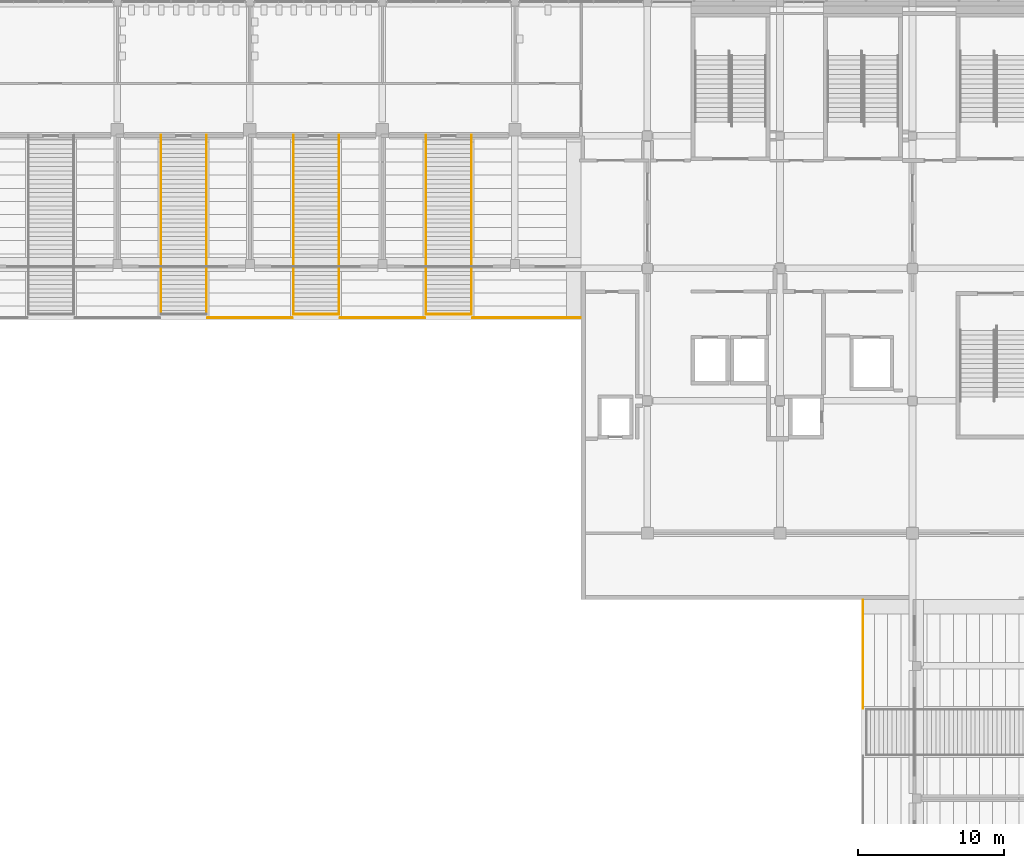
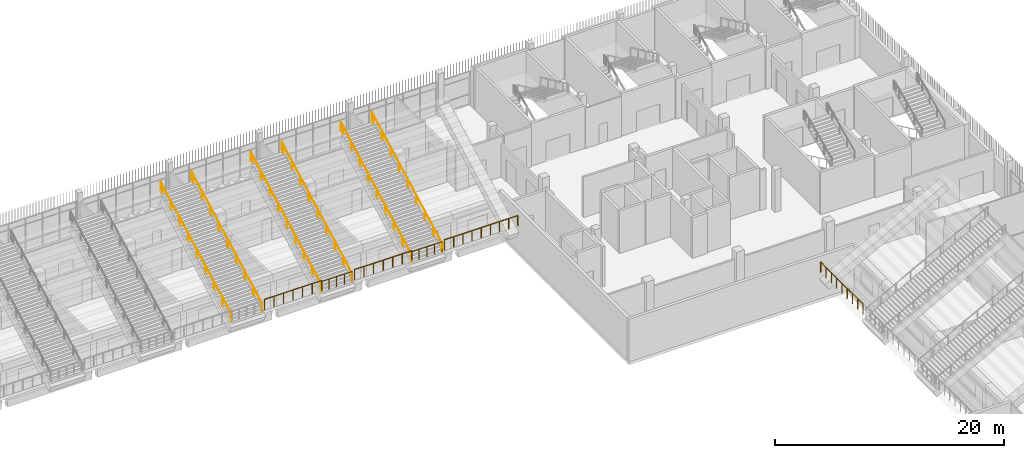
# One storey, part 127 of 139: 12 railings.
"""IFC4 building model written with IfcOpenShell, lengths in metres."""

import ifcopenshell
import ifcopenshell.guid

model = None  # the IFC model being written
_history = None  # IfcOwnerHistory: only IFC2X3 demands one
_inside = {}  # id of a spatial element -> (the spatial element, [elements in it])
_under = {}  # id of a project, library or spatial element -> (it, [spatial elements below it])
_declared = {}  # id of a project -> (the project, [libraries it declares])
_typed = {}  # id of a type object -> (the type object, [elements of that type])
_made_of = {}  # id of a material, layer set ... -> (it, [elements and type objects made of it])


def new_model(schema):
    """Start an empty IFC model of exactly this schema.

    Asked for "IFC4X3", IfcOpenShell would pick the latest addendum, in which some entities
    have other attributes; the version numbers below select the first issue.
    IFC2X3 requires an IfcOwnerHistory on every rooted entity: one is made here for all.
    """
    global model, _history
    if schema == "IFC4X3":
        model = ifcopenshell.file(schema_version=(4, 3, 0, 0))
    else:
        model = ifcopenshell.file(schema=schema)
    _inside.clear()
    _under.clear()
    _declared.clear()
    _typed.clear()
    _made_of.clear()
    _history = None
    if model.schema == "IFC2X3":
        org = make("IfcOrganization", Name="unknown")
        user = make(
            "IfcPersonAndOrganization",
            ThePerson=make("IfcPerson", FamilyName="unknown"),
            TheOrganization=org,
        )
        app = make(
            "IfcApplication",
            ApplicationDeveloper=org,
            Version="unknown",
            ApplicationFullName="unknown",
            ApplicationIdentifier="unknown",
        )
        _history = make(
            "IfcOwnerHistory",
            OwningUser=user,
            OwningApplication=app,
            ChangeAction="ADDED",
            CreationDate=0,
        )
    return model


def make(cls, **values):
    """One entity of the class cls with the attributes given. An attribute that is None is left unset."""
    return model.create_entity(
        cls, **{name: value for name, value in values.items() if value is not None}
    )


def rooted(cls, **values):
    """An entity with a GlobalId (a new one), such as an element, a storey or a relation."""
    return make(cls, GlobalId=ifcopenshell.guid.new(), OwnerHistory=_history, **values)


def si_unit(unit_type, name, prefix=None):
    """IfcSIUnit, for example si_unit("LENGTHUNIT", "METRE", prefix="MILLI")."""
    return make("IfcSIUnit", UnitType=unit_type, Prefix=prefix, Name=name)


def assignment(units):
    """IfcUnitAssignment: the units of a project."""
    return None if units is None else make("IfcUnitAssignment", Units=units)


def point(xyz):
    """IfcCartesianPoint."""
    return None if xyz is None else make("IfcCartesianPoint", Coordinates=xyz)


def direction(xyz):
    """IfcDirection."""
    return None if xyz is None else make("IfcDirection", DirectionRatios=xyz)


def frame(location, z_axis=None, x_axis=None):
    """IfcAxis2Placement3D, a coordinate frame: its origin and axes. An axis left out is left unset."""
    return make(
        "IfcAxis2Placement3D",
        Location=point(location),
        Axis=direction(z_axis),
        RefDirection=direction(x_axis),
    )


def frame_2d(location, x_axis=None):
    """IfcAxis2Placement2D, a coordinate frame in the plane: its origin and x axis."""
    return make(
        "IfcAxis2Placement2D", Location=point(location), RefDirection=direction(x_axis)
    )


def origin():
    """The frame at (0, 0, 0) with its axes left unset."""
    return frame((0.0, 0.0, 0.0))


def origin_2d():
    """The frame at (0, 0) in the plane with its x axis left unset."""
    return frame_2d((0.0, 0.0))


def place(relative_to, where):
    """IfcLocalPlacement: puts the frame where relative to a parent placement (None: the world)."""
    return make(
        "IfcLocalPlacement", PlacementRelTo=relative_to, RelativePlacement=where
    )


def context(
    kind, dimensions, precision=None, world=None, true_north=None, identifier=None
):
    """IfcGeometricRepresentationContext, for example the 3D "Model" context."""
    return make(
        "IfcGeometricRepresentationContext",
        ContextIdentifier=identifier,
        ContextType=kind,
        CoordinateSpaceDimension=dimensions,
        Precision=precision,
        WorldCoordinateSystem=world,
        TrueNorth=true_north,
    )


def subcontext(parent, identifier, kind, view, scale=None):
    """IfcGeometricRepresentationSubContext, for example "Body" below "Model"."""
    return make(
        "IfcGeometricRepresentationSubContext",
        ContextIdentifier=identifier,
        ContextType=kind,
        ParentContext=parent,
        TargetScale=scale,
        TargetView=view,
    )


def project(units=None, contexts=None):
    """IfcProject with its units and contexts."""
    return rooted(
        "IfcProject",
        Name="project",
        RepresentationContexts=contexts,
        UnitsInContext=assignment(units),
    )


def spatial(cls, under=None, at=None, **own):
    """A site, building, storey or space (cls), placed at a placement, below another one or the project."""
    s = rooted(cls, ObjectPlacement=at, **own)
    if under is not None:
        _under.setdefault(under.id(), (under, []))[1].append(s)
    return s


def profile(cls, at=None, kind="AREA", **sizes):
    """A parametric profile (cls). Its sizes go by their IFC names, for example OverallWidth=200.0."""
    return make(cls, ProfileType=kind, Position=at, **sizes)


def circle(**sizes):
    """IfcCircleProfileDef."""
    return profile("IfcCircleProfileDef", **sizes)


def extrude(swept, where, along, depth):
    """IfcExtrudedAreaSolid: the profile swept, set in the frame where, extruded along a direction by depth."""
    return make(
        "IfcExtrudedAreaSolid",
        SweptArea=swept,
        Position=where,
        ExtrudedDirection=direction(along),
        Depth=depth,
    )


def shape(context_of_items, identifier, shape_type, items):
    """IfcShapeRepresentation: the items that make up one representation, for example the "Body"."""
    return make(
        "IfcShapeRepresentation",
        ContextOfItems=context_of_items,
        RepresentationIdentifier=identifier,
        RepresentationType=shape_type,
        Items=items,
    )


def material(Name=None, Category=None):
    """IfcMaterial."""
    return make("IfcMaterial", Name=Name, Category=Category)


def made_of(thing, what):
    """Note that an element or type object is made of a material, layer set ...; save() writes the relation."""
    if what is not None:
        _made_of.setdefault(what.id(), (what, []))[1].append(thing)
    return thing


def type_object(cls, material=None, **own):
    """A type object (cls), such as IfcWallType, which elements share."""
    return made_of(rooted(cls, **own), material)


def element(
    cls,
    number,
    at=None,
    inside=None,
    cuts=None,
    type_object=None,
    material=None,
    context=None,
    identifier="Body",
    shape_type=None,
    held_by="IfcProductDefinitionShape",
    body=None,
    shapes=None,
    **own,
):
    """One element of the class cls, such as IfcWall. Its Tag is "e" and its number.

    at: its placement. inside: the storey or other place that contains it. cuts: it is an
    opening in that element (IfcRelVoidsElement). A single representation is given by context,
    identifier, shape_type and body (its items); several are given by shapes. held_by: the class
    of the entity that holds the representations. save() writes the other relations.
    """
    e = rooted(cls, Tag="e%d" % number, ObjectPlacement=at, **own)
    if body is not None:
        shapes = [shape(context, identifier, shape_type, body)]
    if shapes is not None:
        e.Representation = make(held_by, Representations=shapes)
    if inside is not None:
        _inside.setdefault(inside.id(), (inside, []))[1].append(e)
    if cuts is not None:
        rooted(
            "IfcRelVoidsElement", RelatingBuildingElement=cuts, RelatedOpeningElement=e
        )
    if type_object is not None:
        _typed.setdefault(type_object.id(), (type_object, []))[1].append(e)
    return made_of(e, material)


def aggregate(whole, parts):
    """IfcRelAggregates: a whole, such as a stair, and the parts it consists of."""
    return rooted("IfcRelAggregates", RelatingObject=whole, RelatedObjects=parts)


def save(model, path):
    """Write the relations noted so far, then the file.

    IfcRelAggregates (storeys below a building ...), IfcRelContainedInSpatialStructure (elements
    in a storey), IfcRelDefinesByType, IfcRelAssociatesMaterial and IfcRelDeclares: one each for
    every whole, place, type object, material and project.
    """
    for whole, parts in _under.values():
        aggregate(whole, parts)
    for where, things in _inside.values():
        rooted(
            "IfcRelContainedInSpatialStructure",
            RelatedElements=things,
            RelatingStructure=where,
        )
    for kind, things in _typed.values():
        rooted("IfcRelDefinesByType", RelatedObjects=things, RelatingType=kind)
    for what, things in _made_of.values():
        rooted("IfcRelAssociatesMaterial", RelatedObjects=things, RelatingMaterial=what)
    for by, libraries in _declared.values():
        rooted("IfcRelDeclares", RelatingContext=by, RelatedDefinitions=libraries)
    model.write(path)


model = new_model("IFC4")

# Units and contexts
model_context = context("Model", 3, precision=1e-05, world=origin(), true_north=direction((0.0, 1.0)))
body_context = subcontext(model_context, "Body", "Model", "MODEL_VIEW")
ifc_project = project(units=[si_unit("LENGTHUNIT", "METRE"), si_unit("AREAUNIT", "SQUARE_METRE"), si_unit("VOLUMEUNIT", "CUBIC_METRE"), si_unit("PLANEANGLEUNIT", "RADIAN"), si_unit("MASSUNIT", "GRAM", prefix="KILO")], contexts=[model_context])

# Site, building, storey
site_placement = place(None, origin())
site = spatial("IfcSite", under=ifc_project, at=site_placement, CompositionType="ELEMENT")
building_placement = place(site_placement, origin())
building = spatial("IfcBuilding", under=site, at=building_placement, Name="Shirokan Park Arena", CompositionType="ELEMENT")
storey_placement = place(building_placement, frame((0.0, 0.0, 15.469970703125)))
storey = spatial("IfcBuildingStorey", under=building, at=storey_placement, Name="L03", CompositionType="ELEMENT", Elevation=15.469970703125)

# Railings
ifc_material = material(Name="Stainless steel", Category="steel")
railing_type_1 = type_object("IfcRailingType", Name="Aisle foot guard 1100", PredefinedType="GUARDRAIL", material=ifc_material)
for number, where, name in (
    (1, (84.89990234375, 87.85009765625, 2.5400390625), "Guard foot of vomitory stair N5 upper"),
    (2, (94.0, 87.85009765625, 2.5400390625), "Guard foot of vomitory stair N6 upper"),
):
    element("IfcRailing", number, at=place(storey_placement, frame(where)), inside=storey, type_object=railing_type_1, Name=name, PredefinedType="GUARDRAIL", context=body_context, shape_type="SweptSolid", body=[
        extrude(circle(Radius=0.02490234375, at=origin_2d()), frame((0.0, 0.0, 1.0771484375), z_axis=(1.0, 0.0, 0.0), x_axis=(0.0, 1.0, 0.0)), (0.0, 0.0, 1.0), 3.10009765625),
        extrude(circle(Radius=0.02490234375, at=origin_2d()), origin(), (0.0, 0.0, 1.0), 1.052001953125),
        extrude(circle(Radius=0.02490234375, at=origin_2d()), frame((0.77490234375, 0.0, 0.0)), (0.0, 0.0, 1.0), 1.052001953125),
        extrude(circle(Radius=0.02490234375, at=origin_2d()), frame((1.550048828125, 0.0, 0.0)), (0.0, 0.0, 1.0), 1.052001953125),
        extrude(circle(Radius=0.02490234375, at=origin_2d()), frame((2.3251953125, 0.0, 0.0)), (0.0, 0.0, 1.0), 1.052001953125),
        extrude(circle(Radius=0.02490234375, at=origin_2d()), frame((3.10009765625, 0.0, 0.0)), (0.0, 0.0, 1.0), 1.052001953125),
    ])
railing_type_2 = type_object("IfcRailingType", Name="Aisle handrail 900", PredefinedType="HANDRAIL", material=ifc_material)
railing_1_placement = place(storey_placement, frame((75.7900390625, 87.85009765625, 2.5400390625)))
element("IfcRailing", 3, at=railing_1_placement, inside=storey, type_object=railing_type_2, Name="Handrail vomitory stair N4 upper", PredefinedType="HANDRAIL", context=body_context, shape_type="SweptSolid", body=[
    extrude(circle(Radius=0.02490234375, at=origin_2d()), frame((0.0, 0.0, 0.90185546875), z_axis=(0.0, 0.882341014787, 0.470610596591), x_axis=(-1.0, 0.0, 0.0)), (0.0, 0.0, 1.0), 1.699951171875),
    extrude(circle(Radius=0.02490234375, at=origin_2d()), frame((0.0, 1.5, 1.70166015625), z_axis=(0.0, 0.882341014787, 0.470610596591), x_axis=(-1.0, 0.0, 0.0)), (0.0, 0.0, 1.0), 1.699951171875),
    extrude(circle(Radius=0.02490234375, at=origin_2d()), frame((0.0, 3.0, 2.501953125), z_axis=(0.0, 0.88240064429, 0.470498781037), x_axis=(-1.0, 0.0, 0.0)), (0.0, 0.0, 1.0), 1.699951171875),
    extrude(circle(Radius=0.02490234375, at=origin_2d()), frame((0.0, 4.5, 3.3017578125), z_axis=(0.0, 0.882341014787, 0.470610596591), x_axis=(-1.0, 0.0, 0.0)), (0.0, 0.0, 1.0), 1.699951171875),
    extrude(circle(Radius=0.02490234375, at=origin_2d()), frame((0.0, 6.0, 4.1015625), z_axis=(0.0, 0.882341014787, 0.470610596591), x_axis=(-1.0, 0.0, 0.0)), (0.0, 0.0, 1.0), 1.699951171875),
    extrude(circle(Radius=0.02490234375, at=origin_2d()), frame((0.0, 7.5, 4.90185546875), z_axis=(0.0, 0.882341014787, 0.470610596591), x_axis=(-1.0, 0.0, 0.0)), (0.0, 0.0, 1.0), 1.699951171875),
    extrude(circle(Radius=0.02490234375, at=origin_2d()), frame((0.0, 9.0, 5.70166015625), z_axis=(0.0, 0.882341014787, 0.470610596591), x_axis=(-1.0, 0.0, 0.0)), (0.0, 0.0, 1.0), 1.699951171875),
    extrude(circle(Radius=0.02490234375, at=origin_2d()), frame((0.0, 10.5, 6.501953125), z_axis=(0.0, 0.88240064429, 0.470498781037), x_axis=(-1.0, 0.0, 0.0)), (0.0, 0.0, 1.0), 1.699951171875),
    extrude(circle(Radius=0.02490234375, at=origin_2d()), frame((0.0, 12.0, 7.3017578125), z_axis=(0.0, 0.882034613395, 0.471184614322), x_axis=(-1.0, 0.0, 0.0)), (0.0, 0.0, 1.0), 0.33984375),
    extrude(circle(Radius=0.02490234375, at=origin_2d()), origin(), (0.0, 0.0, 1.0), 0.876708984375),
    extrude(circle(Radius=0.02490234375, at=origin_2d()), frame((0.0, 1.5, 0.800048828125)), (0.0, 0.0, 1.0), 0.876708984375),
    extrude(circle(Radius=0.02490234375, at=origin_2d()), frame((0.0, 3.0, 1.60009765625)), (0.0, 0.0, 1.0), 0.876708984375),
    extrude(circle(Radius=0.02490234375, at=origin_2d()), frame((0.0, 4.5, 2.39990234375)), (0.0, 0.0, 1.0), 0.876708984375),
    extrude(circle(Radius=0.02490234375, at=origin_2d()), frame((0.0, 6.0, 3.199951171875)), (0.0, 0.0, 1.0), 0.876708984375),
    extrude(circle(Radius=0.02490234375, at=origin_2d()), frame((0.0, 7.5, 4.0)), (0.0, 0.0, 1.0), 0.876708984375),
    extrude(circle(Radius=0.02490234375, at=origin_2d()), frame((0.0, 9.0, 4.800048828125)), (0.0, 0.0, 1.0), 0.876708984375),
    extrude(circle(Radius=0.02490234375, at=origin_2d()), frame((0.0, 10.5, 5.60009765625)), (0.0, 0.0, 1.0), 0.876708984375),
    extrude(circle(Radius=0.02490234375, at=origin_2d()), frame((0.0, 12.0, 6.39990234375)), (0.0, 0.0, 1.0), 0.876708984375),
    extrude(circle(Radius=0.02490234375, at=origin_2d()), frame((0.0, 12.2998046875, 6.56005859375)), (0.0, 0.0, 1.0), 0.876708984375),
])
railing_2_placement = place(storey_placement, frame((78.909912109375, 87.85009765625, 2.5400390625)))
element("IfcRailing", 4, at=railing_2_placement, inside=storey, type_object=railing_type_2, Name="Handrail vomitory stair N4 upper", PredefinedType="HANDRAIL", context=body_context, shape_type="SweptSolid", body=[
    extrude(circle(Radius=0.02490234375, at=origin_2d()), frame((0.0, 0.0, 0.90185546875), z_axis=(0.0, 0.882341014787, 0.470610596591), x_axis=(-1.0, 0.0, 0.0)), (0.0, 0.0, 1.0), 1.699951171875),
    extrude(circle(Radius=0.02490234375, at=origin_2d()), frame((0.0, 1.5, 1.70166015625), z_axis=(0.0, 0.882341014787, 0.470610596591), x_axis=(-1.0, 0.0, 0.0)), (0.0, 0.0, 1.0), 1.699951171875),
    extrude(circle(Radius=0.02490234375, at=origin_2d()), frame((0.0, 3.0, 2.501953125), z_axis=(0.0, 0.88240064429, 0.470498781037), x_axis=(-1.0, 0.0, 0.0)), (0.0, 0.0, 1.0), 1.699951171875),
    extrude(circle(Radius=0.02490234375, at=origin_2d()), frame((0.0, 4.5, 3.3017578125), z_axis=(0.0, 0.882341014787, 0.470610596591), x_axis=(-1.0, 0.0, 0.0)), (0.0, 0.0, 1.0), 1.699951171875),
    extrude(circle(Radius=0.02490234375, at=origin_2d()), frame((0.0, 6.0, 4.1015625), z_axis=(0.0, 0.882341014787, 0.470610596591), x_axis=(-1.0, 0.0, 0.0)), (0.0, 0.0, 1.0), 1.699951171875),
    extrude(circle(Radius=0.02490234375, at=origin_2d()), frame((0.0, 7.5, 4.90185546875), z_axis=(0.0, 0.882341014787, 0.470610596591), x_axis=(-1.0, 0.0, 0.0)), (0.0, 0.0, 1.0), 1.699951171875),
    extrude(circle(Radius=0.02490234375, at=origin_2d()), frame((0.0, 9.0, 5.70166015625), z_axis=(0.0, 0.882341014787, 0.470610596591), x_axis=(-1.0, 0.0, 0.0)), (0.0, 0.0, 1.0), 1.699951171875),
    extrude(circle(Radius=0.02490234375, at=origin_2d()), frame((0.0, 10.5, 6.501953125), z_axis=(0.0, 0.88240064429, 0.470498781037), x_axis=(-1.0, 0.0, 0.0)), (0.0, 0.0, 1.0), 1.699951171875),
    extrude(circle(Radius=0.02490234375, at=origin_2d()), frame((0.0, 12.0, 7.3017578125), z_axis=(0.0, 0.882034613395, 0.471184614322), x_axis=(-1.0, 0.0, 0.0)), (0.0, 0.0, 1.0), 0.33984375),
    extrude(circle(Radius=0.02490234375, at=origin_2d()), origin(), (0.0, 0.0, 1.0), 0.876708984375),
    extrude(circle(Radius=0.02490234375, at=origin_2d()), frame((0.0, 1.5, 0.800048828125)), (0.0, 0.0, 1.0), 0.876708984375),
    extrude(circle(Radius=0.02490234375, at=origin_2d()), frame((0.0, 3.0, 1.60009765625)), (0.0, 0.0, 1.0), 0.876708984375),
    extrude(circle(Radius=0.02490234375, at=origin_2d()), frame((0.0, 4.5, 2.39990234375)), (0.0, 0.0, 1.0), 0.876708984375),
    extrude(circle(Radius=0.02490234375, at=origin_2d()), frame((0.0, 6.0, 3.199951171875)), (0.0, 0.0, 1.0), 0.876708984375),
    extrude(circle(Radius=0.02490234375, at=origin_2d()), frame((0.0, 7.5, 4.0)), (0.0, 0.0, 1.0), 0.876708984375),
    extrude(circle(Radius=0.02490234375, at=origin_2d()), frame((0.0, 9.0, 4.800048828125)), (0.0, 0.0, 1.0), 0.876708984375),
    extrude(circle(Radius=0.02490234375, at=origin_2d()), frame((0.0, 10.5, 5.60009765625)), (0.0, 0.0, 1.0), 0.876708984375),
    extrude(circle(Radius=0.02490234375, at=origin_2d()), frame((0.0, 12.0, 6.39990234375)), (0.0, 0.0, 1.0), 0.876708984375),
    extrude(circle(Radius=0.02490234375, at=origin_2d()), frame((0.0, 12.2998046875, 6.56005859375)), (0.0, 0.0, 1.0), 0.876708984375),
])
railing_3_placement = place(storey_placement, frame((84.889892578125, 87.85009765625, 2.5400390625)))
element("IfcRailing", 5, at=railing_3_placement, inside=storey, type_object=railing_type_2, Name="Handrail vomitory stair N5 upper", PredefinedType="HANDRAIL", context=body_context, shape_type="SweptSolid", body=[
    extrude(circle(Radius=0.02490234375, at=origin_2d()), frame((0.0, 0.0, 0.90185546875), z_axis=(0.0, 0.882341014787, 0.470610596591), x_axis=(-1.0, 0.0, 0.0)), (0.0, 0.0, 1.0), 1.699951171875),
    extrude(circle(Radius=0.02490234375, at=origin_2d()), frame((0.0, 1.5, 1.70166015625), z_axis=(0.0, 0.882341014787, 0.470610596591), x_axis=(-1.0, 0.0, 0.0)), (0.0, 0.0, 1.0), 1.699951171875),
    extrude(circle(Radius=0.02490234375, at=origin_2d()), frame((0.0, 3.0, 2.501953125), z_axis=(0.0, 0.88240064429, 0.470498781037), x_axis=(-1.0, 0.0, 0.0)), (0.0, 0.0, 1.0), 1.699951171875),
    extrude(circle(Radius=0.02490234375, at=origin_2d()), frame((0.0, 4.5, 3.3017578125), z_axis=(0.0, 0.882341014787, 0.470610596591), x_axis=(-1.0, 0.0, 0.0)), (0.0, 0.0, 1.0), 1.699951171875),
    extrude(circle(Radius=0.02490234375, at=origin_2d()), frame((0.0, 6.0, 4.1015625), z_axis=(0.0, 0.882341014787, 0.470610596591), x_axis=(-1.0, 0.0, 0.0)), (0.0, 0.0, 1.0), 1.699951171875),
    extrude(circle(Radius=0.02490234375, at=origin_2d()), frame((0.0, 7.5, 4.90185546875), z_axis=(0.0, 0.882341014787, 0.470610596591), x_axis=(-1.0, 0.0, 0.0)), (0.0, 0.0, 1.0), 1.699951171875),
    extrude(circle(Radius=0.02490234375, at=origin_2d()), frame((0.0, 9.0, 5.70166015625), z_axis=(0.0, 0.882341014787, 0.470610596591), x_axis=(-1.0, 0.0, 0.0)), (0.0, 0.0, 1.0), 1.699951171875),
    extrude(circle(Radius=0.02490234375, at=origin_2d()), frame((0.0, 10.5, 6.501953125), z_axis=(0.0, 0.88240064429, 0.470498781037), x_axis=(-1.0, 0.0, 0.0)), (0.0, 0.0, 1.0), 1.699951171875),
    extrude(circle(Radius=0.02490234375, at=origin_2d()), frame((0.0, 12.0, 7.3017578125), z_axis=(0.0, 0.882034613395, 0.471184614322), x_axis=(-1.0, 0.0, 0.0)), (0.0, 0.0, 1.0), 0.33984375),
    extrude(circle(Radius=0.02490234375, at=origin_2d()), origin(), (0.0, 0.0, 1.0), 0.876708984375),
    extrude(circle(Radius=0.02490234375, at=origin_2d()), frame((0.0, 1.5, 0.800048828125)), (0.0, 0.0, 1.0), 0.876708984375),
    extrude(circle(Radius=0.02490234375, at=origin_2d()), frame((0.0, 3.0, 1.60009765625)), (0.0, 0.0, 1.0), 0.876708984375),
    extrude(circle(Radius=0.02490234375, at=origin_2d()), frame((0.0, 4.5, 2.39990234375)), (0.0, 0.0, 1.0), 0.876708984375),
    extrude(circle(Radius=0.02490234375, at=origin_2d()), frame((0.0, 6.0, 3.199951171875)), (0.0, 0.0, 1.0), 0.876708984375),
    extrude(circle(Radius=0.02490234375, at=origin_2d()), frame((0.0, 7.5, 4.0)), (0.0, 0.0, 1.0), 0.876708984375),
    extrude(circle(Radius=0.02490234375, at=origin_2d()), frame((0.0, 9.0, 4.800048828125)), (0.0, 0.0, 1.0), 0.876708984375),
    extrude(circle(Radius=0.02490234375, at=origin_2d()), frame((0.0, 10.5, 5.60009765625)), (0.0, 0.0, 1.0), 0.876708984375),
    extrude(circle(Radius=0.02490234375, at=origin_2d()), frame((0.0, 12.0, 6.39990234375)), (0.0, 0.0, 1.0), 0.876708984375),
    extrude(circle(Radius=0.02490234375, at=origin_2d()), frame((0.0, 12.2998046875, 6.56005859375)), (0.0, 0.0, 1.0), 0.876708984375),
])
railing_4_placement = place(storey_placement, frame((88.010009765625, 87.85009765625, 2.5400390625)))
element("IfcRailing", 6, at=railing_4_placement, inside=storey, type_object=railing_type_2, Name="Handrail vomitory stair N5 upper", PredefinedType="HANDRAIL", context=body_context, shape_type="SweptSolid", body=[
    extrude(circle(Radius=0.02490234375, at=origin_2d()), frame((0.0, 0.0, 0.90185546875), z_axis=(0.0, 0.882341014787, 0.470610596591), x_axis=(-1.0, 0.0, 0.0)), (0.0, 0.0, 1.0), 1.699951171875),
    extrude(circle(Radius=0.02490234375, at=origin_2d()), frame((0.0, 1.5, 1.70166015625), z_axis=(0.0, 0.882341014787, 0.470610596591), x_axis=(-1.0, 0.0, 0.0)), (0.0, 0.0, 1.0), 1.699951171875),
    extrude(circle(Radius=0.02490234375, at=origin_2d()), frame((0.0, 3.0, 2.501953125), z_axis=(0.0, 0.88240064429, 0.470498781037), x_axis=(-1.0, 0.0, 0.0)), (0.0, 0.0, 1.0), 1.699951171875),
    extrude(circle(Radius=0.02490234375, at=origin_2d()), frame((0.0, 4.5, 3.3017578125), z_axis=(0.0, 0.882341014787, 0.470610596591), x_axis=(-1.0, 0.0, 0.0)), (0.0, 0.0, 1.0), 1.699951171875),
    extrude(circle(Radius=0.02490234375, at=origin_2d()), frame((0.0, 6.0, 4.1015625), z_axis=(0.0, 0.882341014787, 0.470610596591), x_axis=(-1.0, 0.0, 0.0)), (0.0, 0.0, 1.0), 1.699951171875),
    extrude(circle(Radius=0.02490234375, at=origin_2d()), frame((0.0, 7.5, 4.90185546875), z_axis=(0.0, 0.882341014787, 0.470610596591), x_axis=(-1.0, 0.0, 0.0)), (0.0, 0.0, 1.0), 1.699951171875),
    extrude(circle(Radius=0.02490234375, at=origin_2d()), frame((0.0, 9.0, 5.70166015625), z_axis=(0.0, 0.882341014787, 0.470610596591), x_axis=(-1.0, 0.0, 0.0)), (0.0, 0.0, 1.0), 1.699951171875),
    extrude(circle(Radius=0.02490234375, at=origin_2d()), frame((0.0, 10.5, 6.501953125), z_axis=(0.0, 0.88240064429, 0.470498781037), x_axis=(-1.0, 0.0, 0.0)), (0.0, 0.0, 1.0), 1.699951171875),
    extrude(circle(Radius=0.02490234375, at=origin_2d()), frame((0.0, 12.0, 7.3017578125), z_axis=(0.0, 0.882034613395, 0.471184614322), x_axis=(-1.0, 0.0, 0.0)), (0.0, 0.0, 1.0), 0.33984375),
    extrude(circle(Radius=0.02490234375, at=origin_2d()), origin(), (0.0, 0.0, 1.0), 0.876708984375),
    extrude(circle(Radius=0.02490234375, at=origin_2d()), frame((0.0, 1.5, 0.800048828125)), (0.0, 0.0, 1.0), 0.876708984375),
    extrude(circle(Radius=0.02490234375, at=origin_2d()), frame((0.0, 3.0, 1.60009765625)), (0.0, 0.0, 1.0), 0.876708984375),
    extrude(circle(Radius=0.02490234375, at=origin_2d()), frame((0.0, 4.5, 2.39990234375)), (0.0, 0.0, 1.0), 0.876708984375),
    extrude(circle(Radius=0.02490234375, at=origin_2d()), frame((0.0, 6.0, 3.199951171875)), (0.0, 0.0, 1.0), 0.876708984375),
    extrude(circle(Radius=0.02490234375, at=origin_2d()), frame((0.0, 7.5, 4.0)), (0.0, 0.0, 1.0), 0.876708984375),
    extrude(circle(Radius=0.02490234375, at=origin_2d()), frame((0.0, 9.0, 4.800048828125)), (0.0, 0.0, 1.0), 0.876708984375),
    extrude(circle(Radius=0.02490234375, at=origin_2d()), frame((0.0, 10.5, 5.60009765625)), (0.0, 0.0, 1.0), 0.876708984375),
    extrude(circle(Radius=0.02490234375, at=origin_2d()), frame((0.0, 12.0, 6.39990234375)), (0.0, 0.0, 1.0), 0.876708984375),
    extrude(circle(Radius=0.02490234375, at=origin_2d()), frame((0.0, 12.2998046875, 6.56005859375)), (0.0, 0.0, 1.0), 0.876708984375),
])
railing_5_placement = place(storey_placement, frame((93.989990234375, 87.85009765625, 2.5400390625)))
element("IfcRailing", 7, at=railing_5_placement, inside=storey, type_object=railing_type_2, Name="Handrail vomitory stair N6 upper", PredefinedType="HANDRAIL", context=body_context, shape_type="SweptSolid", body=[
    extrude(circle(Radius=0.02490234375, at=origin_2d()), frame((0.0, 0.0, 0.90185546875), z_axis=(0.0, 0.882341014787, 0.470610596591), x_axis=(-1.0, 0.0, 0.0)), (0.0, 0.0, 1.0), 1.699951171875),
    extrude(circle(Radius=0.02490234375, at=origin_2d()), frame((0.0, 1.5, 1.70166015625), z_axis=(0.0, 0.882341014787, 0.470610596591), x_axis=(-1.0, 0.0, 0.0)), (0.0, 0.0, 1.0), 1.699951171875),
    extrude(circle(Radius=0.02490234375, at=origin_2d()), frame((0.0, 3.0, 2.501953125), z_axis=(0.0, 0.88240064429, 0.470498781037), x_axis=(-1.0, 0.0, 0.0)), (0.0, 0.0, 1.0), 1.699951171875),
    extrude(circle(Radius=0.02490234375, at=origin_2d()), frame((0.0, 4.5, 3.3017578125), z_axis=(0.0, 0.882341014787, 0.470610596591), x_axis=(-1.0, 0.0, 0.0)), (0.0, 0.0, 1.0), 1.699951171875),
    extrude(circle(Radius=0.02490234375, at=origin_2d()), frame((0.0, 6.0, 4.1015625), z_axis=(0.0, 0.882341014787, 0.470610596591), x_axis=(-1.0, 0.0, 0.0)), (0.0, 0.0, 1.0), 1.699951171875),
    extrude(circle(Radius=0.02490234375, at=origin_2d()), frame((0.0, 7.5, 4.90185546875), z_axis=(0.0, 0.882341014787, 0.470610596591), x_axis=(-1.0, 0.0, 0.0)), (0.0, 0.0, 1.0), 1.699951171875),
    extrude(circle(Radius=0.02490234375, at=origin_2d()), frame((0.0, 9.0, 5.70166015625), z_axis=(0.0, 0.882341014787, 0.470610596591), x_axis=(-1.0, 0.0, 0.0)), (0.0, 0.0, 1.0), 1.699951171875),
    extrude(circle(Radius=0.02490234375, at=origin_2d()), frame((0.0, 10.5, 6.501953125), z_axis=(0.0, 0.88240064429, 0.470498781037), x_axis=(-1.0, 0.0, 0.0)), (0.0, 0.0, 1.0), 1.699951171875),
    extrude(circle(Radius=0.02490234375, at=origin_2d()), frame((0.0, 12.0, 7.3017578125), z_axis=(0.0, 0.882034613395, 0.471184614322), x_axis=(-1.0, 0.0, 0.0)), (0.0, 0.0, 1.0), 0.33984375),
    extrude(circle(Radius=0.02490234375, at=origin_2d()), origin(), (0.0, 0.0, 1.0), 0.876708984375),
    extrude(circle(Radius=0.02490234375, at=origin_2d()), frame((0.0, 1.5, 0.800048828125)), (0.0, 0.0, 1.0), 0.876708984375),
    extrude(circle(Radius=0.02490234375, at=origin_2d()), frame((0.0, 3.0, 1.60009765625)), (0.0, 0.0, 1.0), 0.876708984375),
    extrude(circle(Radius=0.02490234375, at=origin_2d()), frame((0.0, 4.5, 2.39990234375)), (0.0, 0.0, 1.0), 0.876708984375),
    extrude(circle(Radius=0.02490234375, at=origin_2d()), frame((0.0, 6.0, 3.199951171875)), (0.0, 0.0, 1.0), 0.876708984375),
    extrude(circle(Radius=0.02490234375, at=origin_2d()), frame((0.0, 7.5, 4.0)), (0.0, 0.0, 1.0), 0.876708984375),
    extrude(circle(Radius=0.02490234375, at=origin_2d()), frame((0.0, 9.0, 4.800048828125)), (0.0, 0.0, 1.0), 0.876708984375),
    extrude(circle(Radius=0.02490234375, at=origin_2d()), frame((0.0, 10.5, 5.60009765625)), (0.0, 0.0, 1.0), 0.876708984375),
    extrude(circle(Radius=0.02490234375, at=origin_2d()), frame((0.0, 12.0, 6.39990234375)), (0.0, 0.0, 1.0), 0.876708984375),
    extrude(circle(Radius=0.02490234375, at=origin_2d()), frame((0.0, 12.2998046875, 6.56005859375)), (0.0, 0.0, 1.0), 0.876708984375),
])
railing_6_placement = place(storey_placement, frame((97.110107421875, 87.85009765625, 2.5400390625)))
element("IfcRailing", 8, at=railing_6_placement, inside=storey, type_object=railing_type_2, Name="Handrail vomitory stair N6 upper", PredefinedType="HANDRAIL", context=body_context, shape_type="SweptSolid", body=[
    extrude(circle(Radius=0.02490234375, at=origin_2d()), frame((0.0, 0.0, 0.90185546875), z_axis=(0.0, 0.882341014787, 0.470610596591), x_axis=(-1.0, 0.0, 0.0)), (0.0, 0.0, 1.0), 1.699951171875),
    extrude(circle(Radius=0.02490234375, at=origin_2d()), frame((0.0, 1.5, 1.70166015625), z_axis=(0.0, 0.882341014787, 0.470610596591), x_axis=(-1.0, 0.0, 0.0)), (0.0, 0.0, 1.0), 1.699951171875),
    extrude(circle(Radius=0.02490234375, at=origin_2d()), frame((0.0, 3.0, 2.501953125), z_axis=(0.0, 0.88240064429, 0.470498781037), x_axis=(-1.0, 0.0, 0.0)), (0.0, 0.0, 1.0), 1.699951171875),
    extrude(circle(Radius=0.02490234375, at=origin_2d()), frame((0.0, 4.5, 3.3017578125), z_axis=(0.0, 0.882341014787, 0.470610596591), x_axis=(-1.0, 0.0, 0.0)), (0.0, 0.0, 1.0), 1.699951171875),
    extrude(circle(Radius=0.02490234375, at=origin_2d()), frame((0.0, 6.0, 4.1015625), z_axis=(0.0, 0.882341014787, 0.470610596591), x_axis=(-1.0, 0.0, 0.0)), (0.0, 0.0, 1.0), 1.699951171875),
    extrude(circle(Radius=0.02490234375, at=origin_2d()), frame((0.0, 7.5, 4.90185546875), z_axis=(0.0, 0.882341014787, 0.470610596591), x_axis=(-1.0, 0.0, 0.0)), (0.0, 0.0, 1.0), 1.699951171875),
    extrude(circle(Radius=0.02490234375, at=origin_2d()), frame((0.0, 9.0, 5.70166015625), z_axis=(0.0, 0.882341014787, 0.470610596591), x_axis=(-1.0, 0.0, 0.0)), (0.0, 0.0, 1.0), 1.699951171875),
    extrude(circle(Radius=0.02490234375, at=origin_2d()), frame((0.0, 10.5, 6.501953125), z_axis=(0.0, 0.88240064429, 0.470498781037), x_axis=(-1.0, 0.0, 0.0)), (0.0, 0.0, 1.0), 1.699951171875),
    extrude(circle(Radius=0.02490234375, at=origin_2d()), frame((0.0, 12.0, 7.3017578125), z_axis=(0.0, 0.882034613395, 0.471184614322), x_axis=(-1.0, 0.0, 0.0)), (0.0, 0.0, 1.0), 0.33984375),
    extrude(circle(Radius=0.02490234375, at=origin_2d()), origin(), (0.0, 0.0, 1.0), 0.876708984375),
    extrude(circle(Radius=0.02490234375, at=origin_2d()), frame((0.0, 1.5, 0.800048828125)), (0.0, 0.0, 1.0), 0.876708984375),
    extrude(circle(Radius=0.02490234375, at=origin_2d()), frame((0.0, 3.0, 1.60009765625)), (0.0, 0.0, 1.0), 0.876708984375),
    extrude(circle(Radius=0.02490234375, at=origin_2d()), frame((0.0, 4.5, 2.39990234375)), (0.0, 0.0, 1.0), 0.876708984375),
    extrude(circle(Radius=0.02490234375, at=origin_2d()), frame((0.0, 6.0, 3.199951171875)), (0.0, 0.0, 1.0), 0.876708984375),
    extrude(circle(Radius=0.02490234375, at=origin_2d()), frame((0.0, 7.5, 4.0)), (0.0, 0.0, 1.0), 0.876708984375),
    extrude(circle(Radius=0.02490234375, at=origin_2d()), frame((0.0, 9.0, 4.800048828125)), (0.0, 0.0, 1.0), 0.876708984375),
    extrude(circle(Radius=0.02490234375, at=origin_2d()), frame((0.0, 10.5, 5.60009765625)), (0.0, 0.0, 1.0), 0.876708984375),
    extrude(circle(Radius=0.02490234375, at=origin_2d()), frame((0.0, 12.0, 6.39990234375)), (0.0, 0.0, 1.0), 0.876708984375),
    extrude(circle(Radius=0.02490234375, at=origin_2d()), frame((0.0, 12.2998046875, 6.56005859375)), (0.0, 0.0, 1.0), 0.876708984375),
])
railing_type_3 = type_object("IfcRailingType", Name="Crowd barrier 1100", PredefinedType="GUARDRAIL", material=ifc_material)
railing_7_placement = place(storey_placement, frame((79.0, 87.60009765625, 2.860107421875)))
element("IfcRailing", 9, at=railing_7_placement, inside=storey, type_object=railing_type_3, Name="Crowd barrier N5 upper tier", PredefinedType="GUARDRAIL", context=body_context, shape_type="SweptSolid", body=[
    extrude(circle(Radius=0.030029296875, at=origin_2d()), frame((0.0, 0.0, 1.072021484375), z_axis=(1.0, 0.0, 0.0), x_axis=(0.0, 1.0, 0.0)), (0.0, 0.0, 1.0), 5.800048828125),
    extrude(circle(Radius=0.030029296875, at=origin_2d()), origin(), (0.0, 0.0, 1.0), 1.0419921875),
    extrude(circle(Radius=0.030029296875, at=origin_2d()), frame((0.966796875, 0.0, 0.0)), (0.0, 0.0, 1.0), 1.0419921875),
    extrude(circle(Radius=0.030029296875, at=origin_2d()), frame((1.933349609375, 0.0, 0.0)), (0.0, 0.0, 1.0), 1.0419921875),
    extrude(circle(Radius=0.030029296875, at=origin_2d()), frame((2.89990234375, 0.0, 0.0)), (0.0, 0.0, 1.0), 1.0419921875),
    extrude(circle(Radius=0.030029296875, at=origin_2d()), frame((3.86669921875, 0.0, 0.0)), (0.0, 0.0, 1.0), 1.0419921875),
    extrude(circle(Radius=0.030029296875, at=origin_2d()), frame((4.83349609375, 0.0, 0.0)), (0.0, 0.0, 1.0), 1.0419921875),
    extrude(circle(Radius=0.030029296875, at=origin_2d()), frame((5.800048828125, 0.0, 0.0)), (0.0, 0.0, 1.0), 1.0419921875),
])
railing_8_placement = place(storey_placement, frame((88.10009765625, 87.60009765625, 2.860107421875)))
element("IfcRailing", 10, at=railing_8_placement, inside=storey, type_object=railing_type_3, Name="Crowd barrier N6 upper tier", PredefinedType="GUARDRAIL", context=body_context, shape_type="SweptSolid", body=[
    extrude(circle(Radius=0.030029296875, at=origin_2d()), frame((0.0, 0.0, 1.072021484375), z_axis=(1.0, 0.0, 0.0), x_axis=(0.0, 1.0, 0.0)), (0.0, 0.0, 1.0), 5.7998046875),
    extrude(circle(Radius=0.030029296875, at=origin_2d()), origin(), (0.0, 0.0, 1.0), 1.0419921875),
    extrude(circle(Radius=0.030029296875, at=origin_2d()), frame((0.966552734375, 0.0, 0.0)), (0.0, 0.0, 1.0), 1.0419921875),
    extrude(circle(Radius=0.030029296875, at=origin_2d()), frame((1.933349609375, 0.0, 0.0)), (0.0, 0.0, 1.0), 1.0419921875),
    extrude(circle(Radius=0.030029296875, at=origin_2d()), frame((2.89990234375, 0.0, 0.0)), (0.0, 0.0, 1.0), 1.0419921875),
    extrude(circle(Radius=0.030029296875, at=origin_2d()), frame((3.866455078125, 0.0, 0.0)), (0.0, 0.0, 1.0), 1.0419921875),
    extrude(circle(Radius=0.030029296875, at=origin_2d()), frame((4.833251953125, 0.0, 0.0)), (0.0, 0.0, 1.0), 1.0419921875),
    extrude(circle(Radius=0.030029296875, at=origin_2d()), frame((5.7998046875, 0.0, 0.0)), (0.0, 0.0, 1.0), 1.0419921875),
])
railing_9_placement = place(storey_placement, frame((97.199951171875, 87.60009765625, 2.860107421875)))
element("IfcRailing", 11, at=railing_9_placement, inside=storey, type_object=railing_type_3, Name="Crowd barrier N7 upper tier", PredefinedType="GUARDRAIL", context=body_context, shape_type="SweptSolid", body=[
    extrude(circle(Radius=0.030029296875, at=origin_2d()), frame((0.0, 0.0, 1.072021484375), z_axis=(1.0, 0.0, 0.0), x_axis=(0.0, 1.0, 0.0)), (0.0, 0.0, 1.0), 7.400146484375),
    extrude(circle(Radius=0.030029296875, at=origin_2d()), origin(), (0.0, 0.0, 1.0), 1.0419921875),
    extrude(circle(Radius=0.030029296875, at=origin_2d()), frame((0.925048828125, 0.0, 0.0)), (0.0, 0.0, 1.0), 1.0419921875),
    extrude(circle(Radius=0.030029296875, at=origin_2d()), frame((1.85009765625, 0.0, 0.0)), (0.0, 0.0, 1.0), 1.0419921875),
    extrude(circle(Radius=0.030029296875, at=origin_2d()), frame((2.775146484375, 0.0, 0.0)), (0.0, 0.0, 1.0), 1.0419921875),
    extrude(circle(Radius=0.030029296875, at=origin_2d()), frame((3.7001953125, 0.0, 0.0)), (0.0, 0.0, 1.0), 1.0419921875),
    extrude(circle(Radius=0.030029296875, at=origin_2d()), frame((4.625, 0.0, 0.0)), (0.0, 0.0, 1.0), 1.0419921875),
    extrude(circle(Radius=0.030029296875, at=origin_2d()), frame((5.550048828125, 0.0, 0.0)), (0.0, 0.0, 1.0), 1.0419921875),
    extrude(circle(Radius=0.030029296875, at=origin_2d()), frame((6.47509765625, 0.0, 0.0)), (0.0, 0.0, 1.0), 1.0419921875),
    extrude(circle(Radius=0.030029296875, at=origin_2d()), frame((7.400146484375, 0.0, 0.0)), (0.0, 0.0, 1.0), 1.0419921875),
])
railing_10_placement = place(storey_placement, frame((124.0, 60.800048828125, 2.860107421875)))
element("IfcRailing", 12, at=railing_10_placement, inside=storey, type_object=railing_type_3, Name="Crowd barrier E3 upper tier", PredefinedType="GUARDRAIL", context=body_context, shape_type="SweptSolid", body=[
    extrude(circle(Radius=0.030029296875, at=origin_2d()), frame((0.0, 0.0, 1.072021484375), z_axis=(0.0, 1.0, 0.0), x_axis=(-1.0, 0.0, 0.0)), (0.0, 0.0, 1.0), 7.39990234375),
    extrude(circle(Radius=0.030029296875, at=origin_2d()), origin(), (0.0, 0.0, 1.0), 1.0419921875),
    extrude(circle(Radius=0.030029296875, at=origin_2d()), frame((0.0, 0.925048828125, 0.0)), (0.0, 0.0, 1.0), 1.0419921875),
    extrude(circle(Radius=0.030029296875, at=origin_2d()), frame((0.0, 1.85009765625, 0.0)), (0.0, 0.0, 1.0), 1.0419921875),
    extrude(circle(Radius=0.030029296875, at=origin_2d()), frame((0.0, 2.77490234375, 0.0)), (0.0, 0.0, 1.0), 1.0419921875),
    extrude(circle(Radius=0.030029296875, at=origin_2d()), frame((0.0, 3.699951171875, 0.0)), (0.0, 0.0, 1.0), 1.0419921875),
    extrude(circle(Radius=0.030029296875, at=origin_2d()), frame((0.0, 4.625, 0.0)), (0.0, 0.0, 1.0), 1.0419921875),
    extrude(circle(Radius=0.030029296875, at=origin_2d()), frame((0.0, 5.5498046875, 0.0)), (0.0, 0.0, 1.0), 1.0419921875),
    extrude(circle(Radius=0.030029296875, at=origin_2d()), frame((0.0, 6.474853515625, 0.0)), (0.0, 0.0, 1.0), 1.0419921875),
    extrude(circle(Radius=0.030029296875, at=origin_2d()), frame((0.0, 7.39990234375, 0.0)), (0.0, 0.0, 1.0), 1.0419921875),
])

save(model, "model.ifc")
